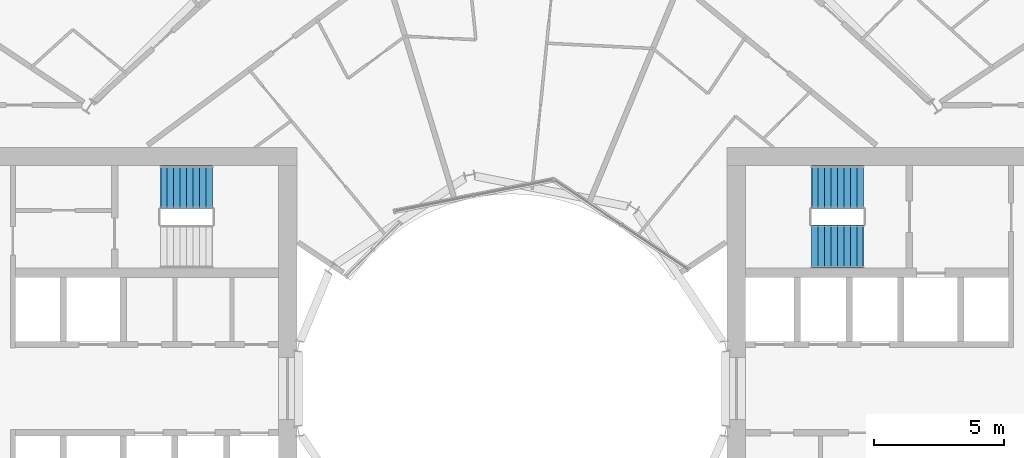
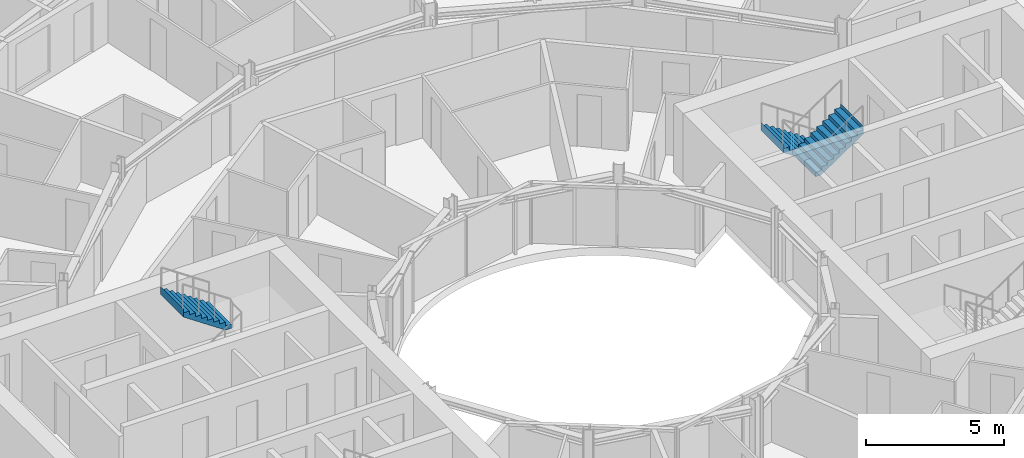
# One storey, part 24 of 26: 3 stair flights, 2 elements without a shape of their own.
"""IFC4 building model written with IfcOpenShell, lengths in metres."""

from ifc_helpers import new_model, si_unit, direction, frame, origin, place, context, subcontext, project, spatial, triangles, material, type_object, element, aggregate, save


model = new_model("IFC4")

# Units and contexts
model_context = context("Model", 3, precision=1e-05, world=origin(), true_north=direction((0.0, 1.0)))
body_context = subcontext(model_context, "Body", "Model", "MODEL_VIEW")
ifc_project = project(units=[si_unit("LENGTHUNIT", "METRE"), si_unit("AREAUNIT", "SQUARE_METRE"), si_unit("VOLUMEUNIT", "CUBIC_METRE"), si_unit("PLANEANGLEUNIT", "RADIAN"), si_unit("MASSUNIT", "GRAM", prefix="KILO")], contexts=[model_context])

# Site, building, storey
site_placement = place(None, origin())
site = spatial("IfcSite", under=ifc_project, at=site_placement, CompositionType="ELEMENT")
building_placement = place(site_placement, origin())
building = spatial("IfcBuilding", under=site, at=building_placement, Name="Maasbend Ring Residences", CompositionType="ELEMENT")
storey_placement = place(building_placement, frame((0.0, 0.0, 84.949951171875)))
storey = spatial("IfcBuildingStorey", under=building, at=storey_placement, Name="L24", CompositionType="ELEMENT", Elevation=84.949951171875)

# Stair, stair flights
ifc_material_1 = material(Name="Concrete C40/50", Category="concrete")
stair_type = type_object("IfcStairType", Name="CORE STAIR 18 RISERS", PredefinedType="HALF_TURN_STAIR", material=ifc_material_1)
stair_1_placement = place(storey_placement, origin())
stair_1 = element("IfcStair", 1, at=stair_1_placement, inside=storey, type_object=stair_type, Name="L24 Exit stair ST-E1", PredefinedType="HALF_TURN_STAIR")
ifc_material_2 = material(Name="Concrete C40/50", Category="concrete")
stair_flight_type = type_object("IfcStairFlightType", Name="CORE STAIR FLIGHT 1650", PredefinedType="STRAIGHT", material=ifc_material_2)
stair_flight_1_placement = place(storey_placement, frame((13.550048828125, 7.77490234375, 0.0), z_axis=(0.0, 0.0, 1.0), x_axis=(-1.0, 0.0, 0.0)))
stair_flight_1 = element("IfcStairFlight", 2, at=stair_flight_1_placement, type_object=stair_flight_type, Name="ST-E1 flight 1", NumberOfRisers=9, NumberOfTreads=8, PredefinedType="STRAIGHT", RiserHeight=0.169444444, TreadLength=0.25, context=body_context, shape_type="Tessellation", body=[
    triangles([(0.24072265625, 0.824951171875, -0.02001953125), (2.0029296875, 0.824951171875, 1.174560546875), (2.0029296875, 0.824951171875, 1.52490234375), (1.989990234375, 0.824951171875, 1.35546875), (1.75, 0.824951171875, 1.35546875), (1.75, 0.824951171875, 1.18603515625), (1.5, 0.824951171875, 1.18603515625), (1.5, 0.824951171875, 1.0166015625), (1.25, 0.824951171875, 1.0166015625), (1.25, 0.824951171875, 0.84716796875), (1.0, 0.824951171875, 0.84716796875), (1.0, 0.824951171875, 0.677734375), (0.75, 0.824951171875, 0.677734375), (0.75, 0.824951171875, 0.50830078125), (0.5, 0.824951171875, 0.50830078125), (0.5, 0.824951171875, 0.3388671875), (0.25, 0.824951171875, 0.3388671875), (0.25, 0.824951171875, 0.16943359375), (0.0, 0.824951171875, 0.16943359375), (0.0, 0.824951171875, 0.0), (-0.0029296875, 0.824951171875, 0.0), (-0.0029296875, 0.824951171875, -0.02001953125), (0.24072265625, 0.27490234375, -0.02001953125), (2.0029296875, 0.27490234375, 1.174560546875), (2.0029296875, 0.27490234375, 1.52490234375), (1.989990234375, 0.27490234375, 1.35546875), (1.75, 0.27490234375, 1.35546875), (1.75, 0.27490234375, 1.18603515625), (1.5, 0.27490234375, 1.18603515625), (1.5, 0.27490234375, 1.0166015625), (1.25, 0.27490234375, 1.0166015625), (1.25, 0.27490234375, 0.84716796875), (1.0, 0.27490234375, 0.84716796875), (1.0, 0.27490234375, 0.677734375), (0.75, 0.27490234375, 0.677734375), (0.75, 0.27490234375, 0.50830078125), (0.5, 0.27490234375, 0.50830078125), (0.5, 0.27490234375, 0.3388671875), (0.25, 0.27490234375, 0.3388671875), (0.25, 0.27490234375, 0.16943359375), (0.0, 0.27490234375, 0.16943359375), (0.0, 0.27490234375, 0.0), (-0.0029296875, 0.27490234375, 0.0), (-0.0029296875, 0.27490234375, -0.02001953125), (0.24072265625, -0.27490234375, -0.02001953125), (2.0029296875, -0.27490234375, 1.174560546875), (2.0029296875, -0.27490234375, 1.52490234375), (1.989990234375, -0.27490234375, 1.35546875), (1.75, -0.27490234375, 1.35546875), (1.75, -0.27490234375, 1.18603515625), (1.5, -0.27490234375, 1.18603515625), (1.5, -0.27490234375, 1.0166015625), (1.25, -0.27490234375, 1.0166015625), (1.25, -0.27490234375, 0.84716796875), (1.0, -0.27490234375, 0.84716796875), (1.0, -0.27490234375, 0.677734375), (0.75, -0.27490234375, 0.677734375), (0.75, -0.27490234375, 0.50830078125), (0.5, -0.27490234375, 0.50830078125), (0.5, -0.27490234375, 0.3388671875), (0.25, -0.27490234375, 0.3388671875), (0.25, -0.27490234375, 0.16943359375), (0.0, -0.27490234375, 0.16943359375), (0.0, -0.27490234375, 0.0), (-0.0029296875, -0.27490234375, 0.0), (-0.0029296875, -0.27490234375, -0.02001953125), (0.24072265625, -0.824951171875, -0.02001953125), (2.0029296875, -0.824951171875, 1.174560546875), (2.0029296875, -0.824951171875, 1.52490234375), (1.989990234375, -0.824951171875, 1.35546875), (1.75, -0.824951171875, 1.35546875), (1.75, -0.824951171875, 1.18603515625), (1.5, -0.824951171875, 1.18603515625), (1.5, -0.824951171875, 1.0166015625), (1.25, -0.824951171875, 1.0166015625), (1.25, -0.824951171875, 0.84716796875), (1.0, -0.824951171875, 0.84716796875), (1.0, -0.824951171875, 0.677734375), (0.75, -0.824951171875, 0.677734375), (0.75, -0.824951171875, 0.50830078125), (0.5, -0.824951171875, 0.50830078125), (0.5, -0.824951171875, 0.3388671875), (0.25, -0.824951171875, 0.3388671875), (0.25, -0.824951171875, 0.16943359375), (0.0, -0.824951171875, 0.16943359375), (0.0, -0.824951171875, 0.0), (-0.0029296875, -0.824951171875, 0.0), (-0.0029296875, -0.824951171875, -0.02001953125)], [[1, 2, 24], [1, 24, 23], [23, 24, 46], [23, 46, 45], [45, 46, 68], [45, 68, 67], [2, 3, 25], [2, 25, 24], [24, 25, 47], [24, 47, 46], [46, 47, 69], [46, 69, 68], [3, 4, 26], [3, 26, 25], [25, 26, 48], [25, 48, 47], [47, 48, 70], [47, 70, 69], [4, 5, 27], [4, 27, 26], [26, 27, 49], [26, 49, 48], [48, 49, 71], [48, 71, 70], [5, 6, 28], [5, 28, 27], [27, 28, 50], [27, 50, 49], [49, 50, 72], [49, 72, 71], [6, 7, 29], [6, 29, 28], [28, 29, 51], [28, 51, 50], [50, 51, 73], [50, 73, 72], [7, 8, 30], [7, 30, 29], [29, 30, 52], [29, 52, 51], [51, 52, 74], [51, 74, 73], [8, 9, 31], [8, 31, 30], [30, 31, 53], [30, 53, 52], [52, 53, 75], [52, 75, 74], [9, 10, 32], [9, 32, 31], [31, 32, 54], [31, 54, 53], [53, 54, 76], [53, 76, 75], [10, 11, 33], [10, 33, 32], [32, 33, 55], [32, 55, 54], [54, 55, 77], [54, 77, 76], [11, 12, 34], [11, 34, 33], [33, 34, 56], [33, 56, 55], [55, 56, 78], [55, 78, 77], [12, 13, 35], [12, 35, 34], [34, 35, 57], [34, 57, 56], [56, 57, 79], [56, 79, 78], [13, 14, 36], [13, 36, 35], [35, 36, 58], [35, 58, 57], [57, 58, 80], [57, 80, 79], [14, 15, 37], [14, 37, 36], [36, 37, 59], [36, 59, 58], [58, 59, 81], [58, 81, 80], [15, 16, 38], [15, 38, 37], [37, 38, 60], [37, 60, 59], [59, 60, 82], [59, 82, 81], [16, 17, 39], [16, 39, 38], [38, 39, 61], [38, 61, 60], [60, 61, 83], [60, 83, 82], [17, 18, 40], [17, 40, 39], [39, 40, 62], [39, 62, 61], [61, 62, 84], [61, 84, 83], [18, 19, 41], [18, 41, 40], [40, 41, 63], [40, 63, 62], [62, 63, 85], [62, 85, 84], [19, 20, 42], [19, 42, 41], [41, 42, 64], [41, 64, 63], [63, 64, 86], [63, 86, 85], [20, 21, 43], [20, 43, 42], [42, 43, 65], [42, 65, 64], [64, 65, 87], [64, 87, 86], [21, 22, 44], [21, 44, 43], [43, 44, 66], [43, 66, 65], [65, 66, 88], [65, 88, 87], [22, 1, 23], [22, 23, 44], [44, 23, 45], [44, 45, 66], [66, 45, 67], [66, 67, 88], [22, 2, 1], [2, 4, 3], [2, 5, 4], [2, 6, 5], [22, 6, 2], [6, 8, 7], [22, 8, 6], [8, 10, 9], [22, 10, 8], [10, 12, 11], [22, 12, 10], [12, 14, 13], [22, 14, 12], [14, 16, 15], [22, 16, 14], [16, 18, 17], [22, 18, 16], [18, 20, 19], [22, 20, 18], [20, 22, 21], [88, 67, 68], [68, 69, 70], [68, 70, 71], [68, 71, 72], [88, 68, 72], [72, 73, 74], [88, 72, 74], [74, 75, 76], [88, 74, 76], [76, 77, 78], [88, 76, 78], [78, 79, 80], [88, 78, 80], [80, 81, 82], [88, 80, 82], [82, 83, 84], [88, 82, 84], [84, 85, 86], [88, 84, 86], [86, 87, 88]], closed=True),
])
stair_flight_2_placement = place(storey_placement, frame((11.550048828125, 5.47509765625, 1.525146484375), z_axis=(0.0, 0.0, 1.0), x_axis=(1.0, 0.0, 0.0)))
stair_flight_2 = element("IfcStairFlight", 3, at=stair_flight_2_placement, type_object=stair_flight_type, Name="ST-E1 flight 2", NumberOfRisers=9, NumberOfTreads=8, PredefinedType="STRAIGHT", RiserHeight=0.169444444, TreadLength=0.25, context=body_context, shape_type="Tessellation", body=[
    triangles([(0.24072265625, 0.824951171875, -0.02001953125), (2.0029296875, 0.824951171875, 1.174560546875), (2.0029296875, 0.824951171875, 1.52490234375), (1.989990234375, 0.824951171875, 1.35546875), (1.75, 0.824951171875, 1.35546875), (1.75, 0.824951171875, 1.18603515625), (1.5, 0.824951171875, 1.18603515625), (1.5, 0.824951171875, 1.0166015625), (1.25, 0.824951171875, 1.0166015625), (1.25, 0.824951171875, 0.84716796875), (1.0, 0.824951171875, 0.84716796875), (1.0, 0.824951171875, 0.677734375), (0.75, 0.824951171875, 0.677734375), (0.75, 0.824951171875, 0.50830078125), (0.5, 0.824951171875, 0.50830078125), (0.5, 0.824951171875, 0.3388671875), (0.25, 0.824951171875, 0.3388671875), (0.25, 0.824951171875, 0.16943359375), (0.0, 0.824951171875, 0.16943359375), (0.0, 0.824951171875, 0.0), (-0.0029296875, 0.824951171875, 0.0), (-0.0029296875, 0.824951171875, -0.02001953125), (0.24072265625, 0.27490234375, -0.02001953125), (2.0029296875, 0.27490234375, 1.174560546875), (2.0029296875, 0.27490234375, 1.52490234375), (1.989990234375, 0.27490234375, 1.35546875), (1.75, 0.27490234375, 1.35546875), (1.75, 0.27490234375, 1.18603515625), (1.5, 0.27490234375, 1.18603515625), (1.5, 0.27490234375, 1.0166015625), (1.25, 0.27490234375, 1.0166015625), (1.25, 0.27490234375, 0.84716796875), (1.0, 0.27490234375, 0.84716796875), (1.0, 0.27490234375, 0.677734375), (0.75, 0.27490234375, 0.677734375), (0.75, 0.27490234375, 0.50830078125), (0.5, 0.27490234375, 0.50830078125), (0.5, 0.27490234375, 0.3388671875), (0.25, 0.27490234375, 0.3388671875), (0.25, 0.27490234375, 0.16943359375), (0.0, 0.27490234375, 0.16943359375), (0.0, 0.27490234375, 0.0), (-0.0029296875, 0.27490234375, 0.0), (-0.0029296875, 0.27490234375, -0.02001953125), (0.24072265625, -0.27490234375, -0.02001953125), (2.0029296875, -0.27490234375, 1.174560546875), (2.0029296875, -0.27490234375, 1.52490234375), (1.989990234375, -0.27490234375, 1.35546875), (1.75, -0.27490234375, 1.35546875), (1.75, -0.27490234375, 1.18603515625), (1.5, -0.27490234375, 1.18603515625), (1.5, -0.27490234375, 1.0166015625), (1.25, -0.27490234375, 1.0166015625), (1.25, -0.27490234375, 0.84716796875), (1.0, -0.27490234375, 0.84716796875), (1.0, -0.27490234375, 0.677734375), (0.75, -0.27490234375, 0.677734375), (0.75, -0.27490234375, 0.50830078125), (0.5, -0.27490234375, 0.50830078125), (0.5, -0.27490234375, 0.3388671875), (0.25, -0.27490234375, 0.3388671875), (0.25, -0.27490234375, 0.16943359375), (0.0, -0.27490234375, 0.16943359375), (0.0, -0.27490234375, 0.0), (-0.0029296875, -0.27490234375, 0.0), (-0.0029296875, -0.27490234375, -0.02001953125), (0.24072265625, -0.824951171875, -0.02001953125), (2.0029296875, -0.824951171875, 1.174560546875), (2.0029296875, -0.824951171875, 1.52490234375), (1.989990234375, -0.824951171875, 1.35546875), (1.75, -0.824951171875, 1.35546875), (1.75, -0.824951171875, 1.18603515625), (1.5, -0.824951171875, 1.18603515625), (1.5, -0.824951171875, 1.0166015625), (1.25, -0.824951171875, 1.0166015625), (1.25, -0.824951171875, 0.84716796875), (1.0, -0.824951171875, 0.84716796875), (1.0, -0.824951171875, 0.677734375), (0.75, -0.824951171875, 0.677734375), (0.75, -0.824951171875, 0.50830078125), (0.5, -0.824951171875, 0.50830078125), (0.5, -0.824951171875, 0.3388671875), (0.25, -0.824951171875, 0.3388671875), (0.25, -0.824951171875, 0.16943359375), (0.0, -0.824951171875, 0.16943359375), (0.0, -0.824951171875, 0.0), (-0.0029296875, -0.824951171875, 0.0), (-0.0029296875, -0.824951171875, -0.02001953125)], [[1, 2, 24], [1, 24, 23], [23, 24, 46], [23, 46, 45], [45, 46, 68], [45, 68, 67], [2, 3, 25], [2, 25, 24], [24, 25, 47], [24, 47, 46], [46, 47, 69], [46, 69, 68], [3, 4, 26], [3, 26, 25], [25, 26, 48], [25, 48, 47], [47, 48, 70], [47, 70, 69], [4, 5, 27], [4, 27, 26], [26, 27, 49], [26, 49, 48], [48, 49, 71], [48, 71, 70], [5, 6, 28], [5, 28, 27], [27, 28, 50], [27, 50, 49], [49, 50, 72], [49, 72, 71], [6, 7, 29], [6, 29, 28], [28, 29, 51], [28, 51, 50], [50, 51, 73], [50, 73, 72], [7, 8, 30], [7, 30, 29], [29, 30, 52], [29, 52, 51], [51, 52, 74], [51, 74, 73], [8, 9, 31], [8, 31, 30], [30, 31, 53], [30, 53, 52], [52, 53, 75], [52, 75, 74], [9, 10, 32], [9, 32, 31], [31, 32, 54], [31, 54, 53], [53, 54, 76], [53, 76, 75], [10, 11, 33], [10, 33, 32], [32, 33, 55], [32, 55, 54], [54, 55, 77], [54, 77, 76], [11, 12, 34], [11, 34, 33], [33, 34, 56], [33, 56, 55], [55, 56, 78], [55, 78, 77], [12, 13, 35], [12, 35, 34], [34, 35, 57], [34, 57, 56], [56, 57, 79], [56, 79, 78], [13, 14, 36], [13, 36, 35], [35, 36, 58], [35, 58, 57], [57, 58, 80], [57, 80, 79], [14, 15, 37], [14, 37, 36], [36, 37, 59], [36, 59, 58], [58, 59, 81], [58, 81, 80], [15, 16, 38], [15, 38, 37], [37, 38, 60], [37, 60, 59], [59, 60, 82], [59, 82, 81], [16, 17, 39], [16, 39, 38], [38, 39, 61], [38, 61, 60], [60, 61, 83], [60, 83, 82], [17, 18, 40], [17, 40, 39], [39, 40, 62], [39, 62, 61], [61, 62, 84], [61, 84, 83], [18, 19, 41], [18, 41, 40], [40, 41, 63], [40, 63, 62], [62, 63, 85], [62, 85, 84], [19, 20, 42], [19, 42, 41], [41, 42, 64], [41, 64, 63], [63, 64, 86], [63, 86, 85], [20, 21, 43], [20, 43, 42], [42, 43, 65], [42, 65, 64], [64, 65, 87], [64, 87, 86], [21, 22, 44], [21, 44, 43], [43, 44, 66], [43, 66, 65], [65, 66, 88], [65, 88, 87], [22, 1, 23], [22, 23, 44], [44, 23, 45], [44, 45, 66], [66, 45, 67], [66, 67, 88], [22, 2, 1], [2, 4, 3], [2, 5, 4], [2, 6, 5], [22, 6, 2], [6, 8, 7], [22, 8, 6], [8, 10, 9], [22, 10, 8], [10, 12, 11], [22, 12, 10], [12, 14, 13], [22, 14, 12], [14, 16, 15], [22, 16, 14], [16, 18, 17], [22, 18, 16], [18, 20, 19], [22, 20, 18], [20, 22, 21], [88, 67, 68], [68, 69, 70], [68, 70, 71], [68, 71, 72], [88, 68, 72], [72, 73, 74], [88, 72, 74], [74, 75, 76], [88, 74, 76], [76, 77, 78], [88, 76, 78], [78, 79, 80], [88, 78, 80], [80, 81, 82], [88, 80, 82], [82, 83, 84], [88, 82, 84], [84, 85, 86], [88, 84, 86], [86, 87, 88]], closed=True),
])
aggregate(stair_1, [stair_flight_1, stair_flight_2])

# Stair, stair flight
stair_2_placement = place(storey_placement, origin())
stair_2 = element("IfcStair", 4, at=stair_2_placement, inside=storey, type_object=stair_type, Name="L24 Exit stair ST-W2", PredefinedType="HALF_TURN_STAIR")
stair_flight_3_placement = place(storey_placement, frame((-11.550048828125, 7.77490234375, 1.525146484375), z_axis=(0.0, 0.0, 1.0), x_axis=(-1.0, 0.0, 0.0)))
stair_flight_3 = element("IfcStairFlight", 5, at=stair_flight_3_placement, type_object=stair_flight_type, Name="ST-W2 flight 2", NumberOfRisers=9, NumberOfTreads=8, PredefinedType="STRAIGHT", RiserHeight=0.169444444, TreadLength=0.25, context=body_context, shape_type="Tessellation", body=[
    triangles([(0.24072265625, 0.824951171875, -0.02001953125), (2.0029296875, 0.824951171875, 1.174560546875), (2.0029296875, 0.824951171875, 1.52490234375), (1.989990234375, 0.824951171875, 1.35546875), (1.75, 0.824951171875, 1.35546875), (1.75, 0.824951171875, 1.18603515625), (1.5, 0.824951171875, 1.18603515625), (1.5, 0.824951171875, 1.0166015625), (1.25, 0.824951171875, 1.0166015625), (1.25, 0.824951171875, 0.84716796875), (1.0, 0.824951171875, 0.84716796875), (1.0, 0.824951171875, 0.677734375), (0.75, 0.824951171875, 0.677734375), (0.75, 0.824951171875, 0.50830078125), (0.5, 0.824951171875, 0.50830078125), (0.5, 0.824951171875, 0.3388671875), (0.25, 0.824951171875, 0.3388671875), (0.25, 0.824951171875, 0.16943359375), (0.0, 0.824951171875, 0.16943359375), (0.0, 0.824951171875, 0.0), (-0.0029296875, 0.824951171875, 0.0), (-0.0029296875, 0.824951171875, -0.02001953125), (0.24072265625, 0.27490234375, -0.02001953125), (2.0029296875, 0.27490234375, 1.174560546875), (2.0029296875, 0.27490234375, 1.52490234375), (1.989990234375, 0.27490234375, 1.35546875), (1.75, 0.27490234375, 1.35546875), (1.75, 0.27490234375, 1.18603515625), (1.5, 0.27490234375, 1.18603515625), (1.5, 0.27490234375, 1.0166015625), (1.25, 0.27490234375, 1.0166015625), (1.25, 0.27490234375, 0.84716796875), (1.0, 0.27490234375, 0.84716796875), (1.0, 0.27490234375, 0.677734375), (0.75, 0.27490234375, 0.677734375), (0.75, 0.27490234375, 0.50830078125), (0.5, 0.27490234375, 0.50830078125), (0.5, 0.27490234375, 0.3388671875), (0.25, 0.27490234375, 0.3388671875), (0.25, 0.27490234375, 0.16943359375), (0.0, 0.27490234375, 0.16943359375), (0.0, 0.27490234375, 0.0), (-0.0029296875, 0.27490234375, 0.0), (-0.0029296875, 0.27490234375, -0.02001953125), (0.24072265625, -0.27490234375, -0.02001953125), (2.0029296875, -0.27490234375, 1.174560546875), (2.0029296875, -0.27490234375, 1.52490234375), (1.989990234375, -0.27490234375, 1.35546875), (1.75, -0.27490234375, 1.35546875), (1.75, -0.27490234375, 1.18603515625), (1.5, -0.27490234375, 1.18603515625), (1.5, -0.27490234375, 1.0166015625), (1.25, -0.27490234375, 1.0166015625), (1.25, -0.27490234375, 0.84716796875), (1.0, -0.27490234375, 0.84716796875), (1.0, -0.27490234375, 0.677734375), (0.75, -0.27490234375, 0.677734375), (0.75, -0.27490234375, 0.50830078125), (0.5, -0.27490234375, 0.50830078125), (0.5, -0.27490234375, 0.3388671875), (0.25, -0.27490234375, 0.3388671875), (0.25, -0.27490234375, 0.16943359375), (0.0, -0.27490234375, 0.16943359375), (0.0, -0.27490234375, 0.0), (-0.0029296875, -0.27490234375, 0.0), (-0.0029296875, -0.27490234375, -0.02001953125), (0.24072265625, -0.824951171875, -0.02001953125), (2.0029296875, -0.824951171875, 1.174560546875), (2.0029296875, -0.824951171875, 1.52490234375), (1.989990234375, -0.824951171875, 1.35546875), (1.75, -0.824951171875, 1.35546875), (1.75, -0.824951171875, 1.18603515625), (1.5, -0.824951171875, 1.18603515625), (1.5, -0.824951171875, 1.0166015625), (1.25, -0.824951171875, 1.0166015625), (1.25, -0.824951171875, 0.84716796875), (1.0, -0.824951171875, 0.84716796875), (1.0, -0.824951171875, 0.677734375), (0.75, -0.824951171875, 0.677734375), (0.75, -0.824951171875, 0.50830078125), (0.5, -0.824951171875, 0.50830078125), (0.5, -0.824951171875, 0.3388671875), (0.25, -0.824951171875, 0.3388671875), (0.25, -0.824951171875, 0.16943359375), (0.0, -0.824951171875, 0.16943359375), (0.0, -0.824951171875, 0.0), (-0.0029296875, -0.824951171875, 0.0), (-0.0029296875, -0.824951171875, -0.02001953125)], [[1, 2, 24], [1, 24, 23], [23, 24, 46], [23, 46, 45], [45, 46, 68], [45, 68, 67], [2, 3, 25], [2, 25, 24], [24, 25, 47], [24, 47, 46], [46, 47, 69], [46, 69, 68], [3, 4, 26], [3, 26, 25], [25, 26, 48], [25, 48, 47], [47, 48, 70], [47, 70, 69], [4, 5, 27], [4, 27, 26], [26, 27, 49], [26, 49, 48], [48, 49, 71], [48, 71, 70], [5, 6, 28], [5, 28, 27], [27, 28, 50], [27, 50, 49], [49, 50, 72], [49, 72, 71], [6, 7, 29], [6, 29, 28], [28, 29, 51], [28, 51, 50], [50, 51, 73], [50, 73, 72], [7, 8, 30], [7, 30, 29], [29, 30, 52], [29, 52, 51], [51, 52, 74], [51, 74, 73], [8, 9, 31], [8, 31, 30], [30, 31, 53], [30, 53, 52], [52, 53, 75], [52, 75, 74], [9, 10, 32], [9, 32, 31], [31, 32, 54], [31, 54, 53], [53, 54, 76], [53, 76, 75], [10, 11, 33], [10, 33, 32], [32, 33, 55], [32, 55, 54], [54, 55, 77], [54, 77, 76], [11, 12, 34], [11, 34, 33], [33, 34, 56], [33, 56, 55], [55, 56, 78], [55, 78, 77], [12, 13, 35], [12, 35, 34], [34, 35, 57], [34, 57, 56], [56, 57, 79], [56, 79, 78], [13, 14, 36], [13, 36, 35], [35, 36, 58], [35, 58, 57], [57, 58, 80], [57, 80, 79], [14, 15, 37], [14, 37, 36], [36, 37, 59], [36, 59, 58], [58, 59, 81], [58, 81, 80], [15, 16, 38], [15, 38, 37], [37, 38, 60], [37, 60, 59], [59, 60, 82], [59, 82, 81], [16, 17, 39], [16, 39, 38], [38, 39, 61], [38, 61, 60], [60, 61, 83], [60, 83, 82], [17, 18, 40], [17, 40, 39], [39, 40, 62], [39, 62, 61], [61, 62, 84], [61, 84, 83], [18, 19, 41], [18, 41, 40], [40, 41, 63], [40, 63, 62], [62, 63, 85], [62, 85, 84], [19, 20, 42], [19, 42, 41], [41, 42, 64], [41, 64, 63], [63, 64, 86], [63, 86, 85], [20, 21, 43], [20, 43, 42], [42, 43, 65], [42, 65, 64], [64, 65, 87], [64, 87, 86], [21, 22, 44], [21, 44, 43], [43, 44, 66], [43, 66, 65], [65, 66, 88], [65, 88, 87], [22, 1, 23], [22, 23, 44], [44, 23, 45], [44, 45, 66], [66, 45, 67], [66, 67, 88], [22, 2, 1], [2, 4, 3], [2, 5, 4], [2, 6, 5], [22, 6, 2], [6, 8, 7], [22, 8, 6], [8, 10, 9], [22, 10, 8], [10, 12, 11], [22, 12, 10], [12, 14, 13], [22, 14, 12], [14, 16, 15], [22, 16, 14], [16, 18, 17], [22, 18, 16], [18, 20, 19], [22, 20, 18], [20, 22, 21], [88, 67, 68], [68, 69, 70], [68, 70, 71], [68, 71, 72], [88, 68, 72], [72, 73, 74], [88, 72, 74], [74, 75, 76], [88, 74, 76], [76, 77, 78], [88, 76, 78], [78, 79, 80], [88, 78, 80], [80, 81, 82], [88, 80, 82], [82, 83, 84], [88, 82, 84], [84, 85, 86], [88, 84, 86], [86, 87, 88]], closed=True),
])
aggregate(stair_2, [stair_flight_3])

save(model, "model.ifc")
